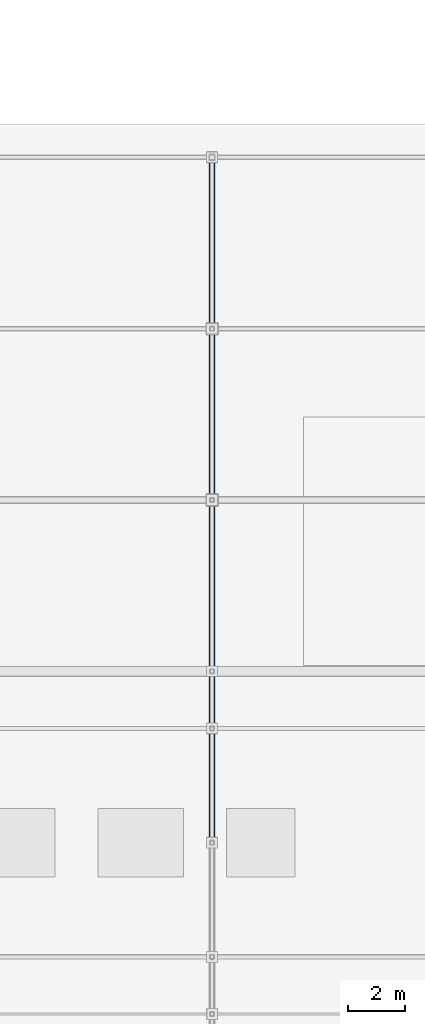
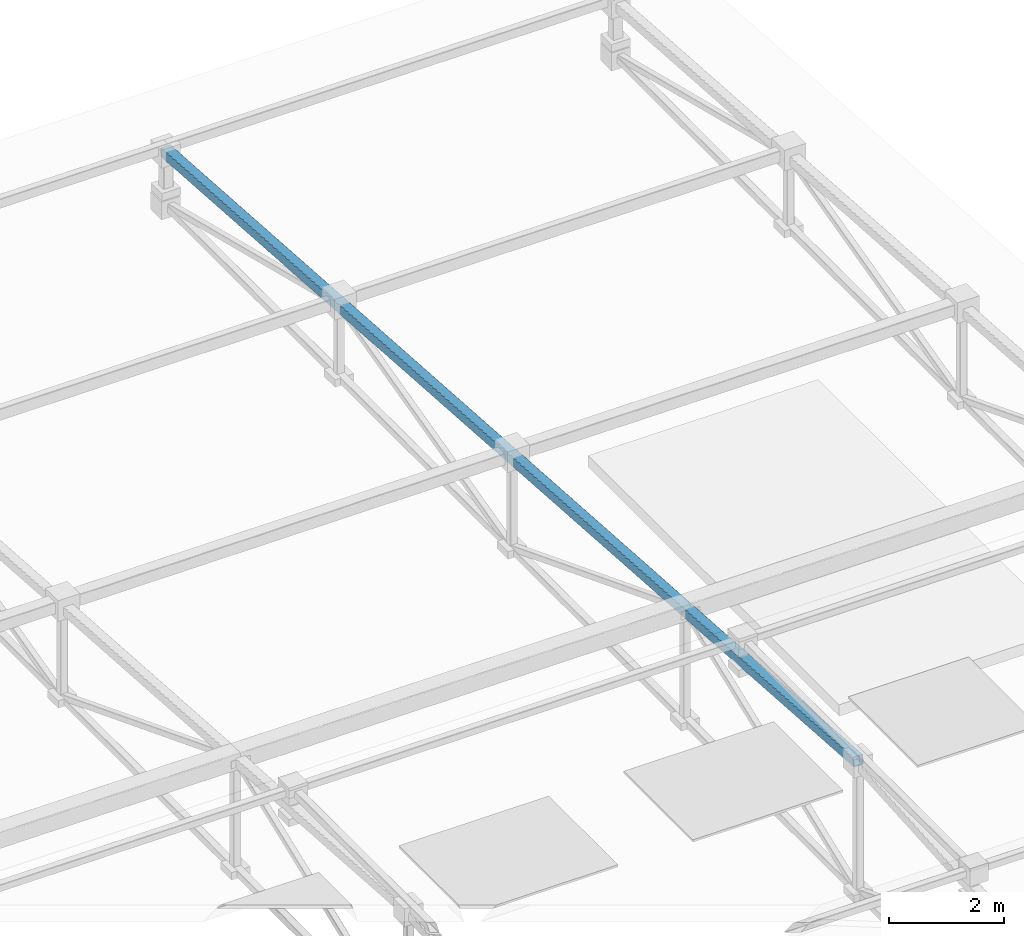
# One storey, part 41 of 85: 1 beam.
"""IFC4 building model written with IfcOpenShell, lengths in metres."""

from ifc_helpers import new_model, si_unit, direction, frame, origin, origin_2d, place, context, subcontext, project, spatial, hollow_rectangle, extrude, material, material_profile, profile_set, type_object, element, save


model = new_model("IFC4")

# Units and contexts
model_context = context("Model", 3, precision=1e-05, world=origin(), true_north=direction((0.0, 1.0)))
body_context = subcontext(model_context, "Body", "Model", "MODEL_VIEW")
ifc_project = project(units=[si_unit("LENGTHUNIT", "METRE"), si_unit("AREAUNIT", "SQUARE_METRE"), si_unit("VOLUMEUNIT", "CUBIC_METRE"), si_unit("PLANEANGLEUNIT", "RADIAN"), si_unit("MASSUNIT", "GRAM", prefix="KILO"), si_unit("THERMODYNAMICTEMPERATUREUNIT", "KELVIN"), si_unit("POWERUNIT", "WATT")], contexts=[model_context])

# Site, building, storey
site_placement = place(None, origin())
site = spatial("IfcSite", under=ifc_project, at=site_placement, CompositionType="ELEMENT")
building_placement = place(site_placement, origin())
building = spatial("IfcBuilding", under=site, at=building_placement, Name="Zelmaris Science Centre", CompositionType="ELEMENT")
storey_placement = place(building_placement, frame((0.0, 0.0, 20.39990234375)))
storey = spatial("IfcBuildingStorey", under=building, at=storey_placement, Name="L04", CompositionType="ELEMENT", Elevation=20.39990234375)

# Beam
ifc_material = material(Name="Steel ASTM A500 Grade C", Category="steel")
ifc_material_profile = material_profile(ifc_material, hollow_rectangle(XDim=0.203125, YDim=0.203125, WallThickness=0.01171875, InnerFilletRadius=0.01171875, OuterFilletRadius=0.023681640625, at=origin_2d()), Name="HSS203X203X13")
ifc_profile_set = profile_set([ifc_material_profile], Name="Steel ASTM A500 Grade C")
beam_type = type_object("IfcBeamType", Name="Beam G-20 HSS203X203X13", PredefinedType="BEAM", material=ifc_profile_set)
beam_placement = place(storey_placement, frame((126.0, 32.0, 3.697998046875), z_axis=(0.0, 0.997644646858, -0.068594158611), x_axis=(-1.0, 0.0, 0.0)))
element("IfcBeam", 1, at=beam_placement, inside=storey, type_object=beam_type, Name="RF-V4 Roof truss 3 north top chord", PredefinedType="BEAM", context=body_context, shape_type="SweptSolid", body=[
    extrude(hollow_rectangle(XDim=0.203125, YDim=0.203125, WallThickness=0.01171875, InnerFilletRadius=0.01171875, OuterFilletRadius=0.023681640625, at=origin_2d()), origin(), (0.0, 0.0, 1.0), 24.056640625),
])

save(model, "model.ifc")
